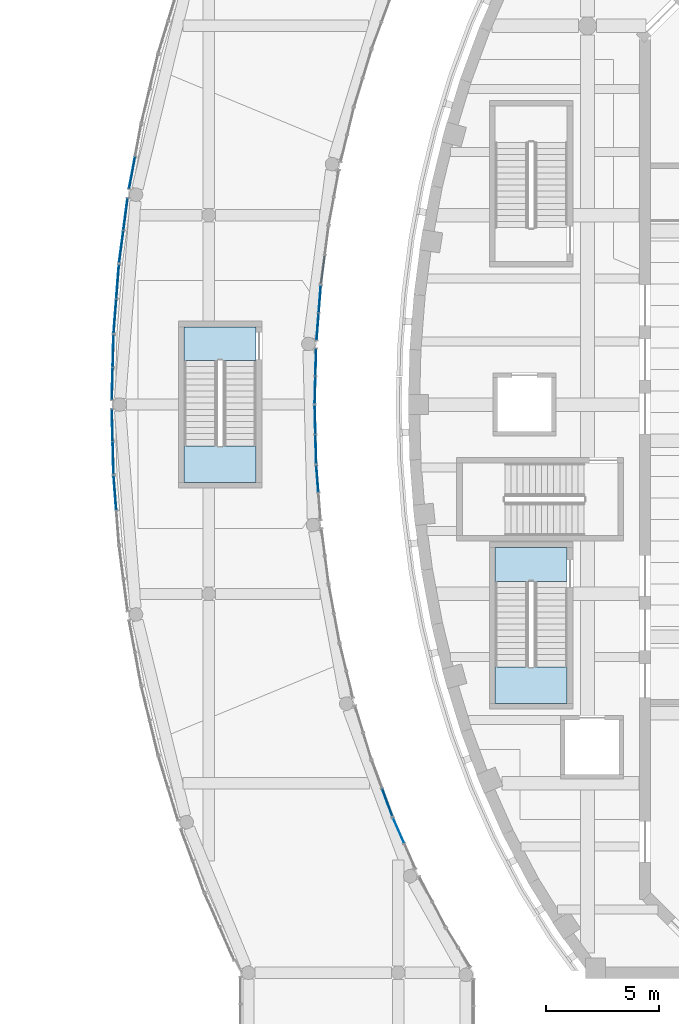
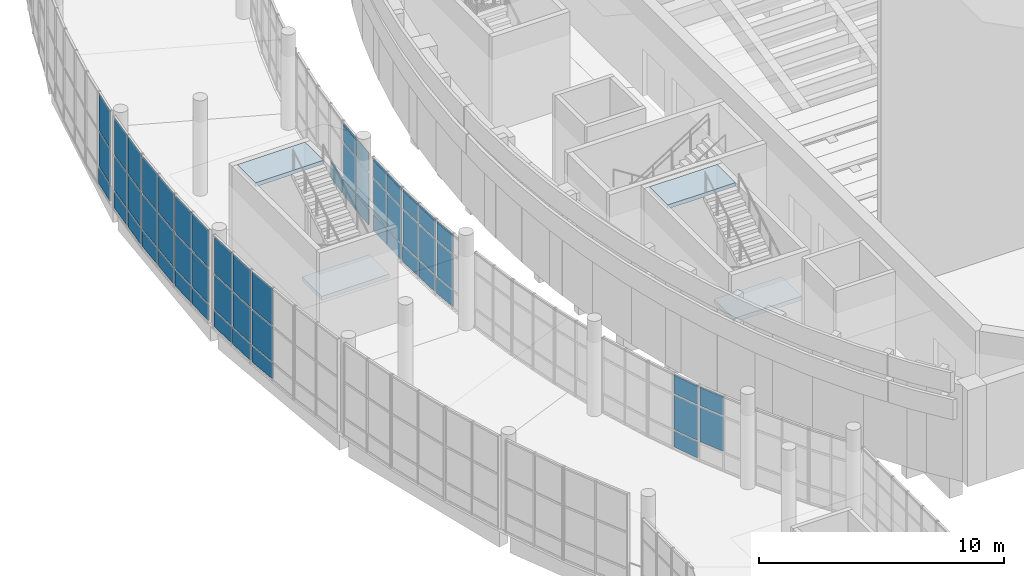
# One storey, part 47 of 119: 57 plates, 4 slabs, 15 elements without a shape of their own.
"""IFC4 building model written with IfcOpenShell, lengths in metres."""

from ifc_helpers import new_model, si_unit, direction, frame, origin, origin_2d, place, context, subcontext, project, spatial, polyline, rectangle, outline, extrude, material, layer, layer_set, type_object, element, aggregate, save


model = new_model("IFC4")

# Units and contexts
model_context = context("Model", 3, precision=1e-05, world=origin(), true_north=direction((0.0, 1.0)))
body_context = subcontext(model_context, "Body", "Model", "MODEL_VIEW")
ifc_project = project(units=[si_unit("LENGTHUNIT", "METRE"), si_unit("AREAUNIT", "SQUARE_METRE"), si_unit("VOLUMEUNIT", "CUBIC_METRE"), si_unit("PLANEANGLEUNIT", "RADIAN"), si_unit("MASSUNIT", "GRAM", prefix="KILO")], contexts=[model_context])

# Site, building, storey
site_placement = place(None, origin())
site = spatial("IfcSite", under=ifc_project, at=site_placement, CompositionType="ELEMENT")
building_placement = place(site_placement, origin())
building = spatial("IfcBuilding", under=site, at=building_placement, Name="Larchfold Concert Hall", CompositionType="ELEMENT")
storey_placement = place(building_placement, frame((0.0, 0.0, 4.800048828125)))
storey = spatial("IfcBuildingStorey", under=building, at=storey_placement, Name="L01", CompositionType="ELEMENT", Elevation=4.800048828125)

# Curtain wall, plates
ifc_material_1 = material(Name="Anodised graphite aluminium curtain wall", Category="aluminium")
ifc_layer_1 = layer(ifc_material_1, 0.14990234375)
ifc_layer_set_1 = layer_set([ifc_layer_1], Name="Anodised graphite aluminium curtain wall")
curtain_wall_type = type_object("IfcCurtainWallType", Name="Curtain wall WG", PredefinedType="NOTDEFINED", material=ifc_layer_set_1)
curtain_wall_1_placement = place(storey_placement, origin())
curtain_wall_1 = element("IfcCurtainWall", 1, at=curtain_wall_1_placement, inside=storey, type_object=curtain_wall_type, Name="Curtain wall CW0139", PredefinedType="NOTDEFINED")
ifc_material_2 = material(Name="Insulated glazing unit, glass", Category="glass")
ifc_layer_2 = layer(ifc_material_2, 0.028076171875)
ifc_layer_set_2 = layer_set([ifc_layer_2], Name="Insulated glazing unit, glass")
plate_type_1 = type_object("IfcPlateType", Name="Glass panel 28", PredefinedType="CURTAIN_PANEL", material=ifc_layer_set_2)
plate_1_placement = place(storey_placement, frame((17.420166015625, 65.706298828125, 0.93994140625), z_axis=(0.0, 0.0, 1.0), x_axis=(-0.40402618995, 0.914747417506, 0.0)))
plate_1 = element("IfcPlate", 2, at=plate_1_placement, type_object=plate_type_1, Name="CW0139 panel 2.2", PredefinedType="CURTAIN_PANEL", context=body_context, shape_type="SweptSolid", body=[
    extrude(rectangle(XDim=1.186767578125, YDim=0.028076171875, at=origin_2d()), origin(), (0.0, 0.0, 1.0), 1.719970703125),
])
plate_2_placement = place(storey_placement, frame((17.420166015625, 65.706298828125, 2.740234375), z_axis=(0.0, 0.0, 1.0), x_axis=(-0.40402618995, 0.914747417506, 0.0)))
plate_2 = element("IfcPlate", 3, at=plate_2_placement, type_object=plate_type_1, Name="CW0139 panel 2.3", PredefinedType="CURTAIN_PANEL", context=body_context, shape_type="SweptSolid", body=[
    extrude(rectangle(XDim=1.186767578125, YDim=0.028076171875, at=origin_2d()), origin(), (0.0, 0.0, 1.0), 0.929931640625),
])
aggregate(curtain_wall_1, [plate_1, plate_2])

curtain_wall_2_placement = place(storey_placement, origin())
curtain_wall_2 = element("IfcCurtainWall", 4, at=curtain_wall_2_placement, inside=storey, type_object=curtain_wall_type, Name="Curtain wall CW0140", PredefinedType="NOTDEFINED")
plate_3_placement = place(storey_placement, frame((16.9169921875, 66.951171875, 0.93994140625), z_axis=(0.0, 0.0, 1.0), x_axis=(-0.346631119, 0.938001528432, 0.0)))
plate_3 = element("IfcPlate", 5, at=plate_3_placement, type_object=plate_type_1, Name="CW0140 panel 1.2", PredefinedType="CURTAIN_PANEL", context=body_context, shape_type="SweptSolid", body=[
    extrude(rectangle(XDim=1.26025390625, YDim=0.028076171875, at=origin_2d()), origin(), (0.0, 0.0, 1.0), 1.719970703125),
])
plate_4_placement = place(storey_placement, frame((16.9169921875, 66.951171875, 2.740234375), z_axis=(0.0, 0.0, 1.0), x_axis=(-0.346631119, 0.938001528432, 0.0)))
plate_4 = element("IfcPlate", 6, at=plate_4_placement, type_object=plate_type_1, Name="CW0140 panel 1.3", PredefinedType="CURTAIN_PANEL", context=body_context, shape_type="SweptSolid", body=[
    extrude(rectangle(XDim=1.26025390625, YDim=0.028076171875, at=origin_2d()), origin(), (0.0, 0.0, 1.0), 0.929931640625),
])

curtain_wall_3_placement = place(storey_placement, origin())
curtain_wall_3 = element("IfcCurtainWall", 7, at=curtain_wall_3_placement, inside=storey, type_object=curtain_wall_type, Name="Curtain wall CW0145", PredefinedType="NOTDEFINED")
plate_5_placement = place(storey_placement, frame((13.81689453125, 81.301513671875, 0.93994140625), z_axis=(0.0, 0.0, 1.0), x_axis=(-0.077547900972, 0.996988627345, 0.0)))
plate_5 = element("IfcPlate", 8, at=plate_5_placement, type_object=plate_type_1, Name="CW0145 panel 2.2", PredefinedType="CURTAIN_PANEL", context=body_context, shape_type="SweptSolid", body=[
    extrude(rectangle(XDim=1.159912109375, YDim=0.028076171875, at=origin_2d()), origin(), (0.0, 0.0, 1.0), 1.719970703125),
])
plate_6_placement = place(storey_placement, frame((13.81689453125, 81.301513671875, 2.740234375), z_axis=(0.0, 0.0, 1.0), x_axis=(-0.077547900972, 0.996988627345, 0.0)))
plate_6 = element("IfcPlate", 9, at=plate_6_placement, type_object=plate_type_1, Name="CW0145 panel 2.3", PredefinedType="CURTAIN_PANEL", context=body_context, shape_type="SweptSolid", body=[
    extrude(rectangle(XDim=1.159912109375, YDim=0.028076171875, at=origin_2d()), origin(), (0.0, 0.0, 1.0), 0.929931640625),
])

curtain_wall_4_placement = place(storey_placement, origin())
curtain_wall_4 = element("IfcCurtainWall", 10, at=curtain_wall_4_placement, inside=storey, type_object=curtain_wall_type, Name="Curtain wall CW0146", PredefinedType="NOTDEFINED")
plate_7_placement = place(storey_placement, frame((13.749755859375, 82.61962890625, 0.93994140625), z_axis=(0.0, 0.0, 1.0), x_axis=(-0.02577598033, 0.999667744222, 0.0)))
plate_7 = element("IfcPlate", 11, at=plate_7_placement, type_object=plate_type_1, Name="CW0146 panel 1.2", PredefinedType="CURTAIN_PANEL", context=body_context, shape_type="SweptSolid", body=[
    extrude(rectangle(XDim=1.24072265625, YDim=0.028076171875, at=origin_2d()), origin(), (0.0, 0.0, 1.0), 1.719970703125),
])
plate_8_placement = place(storey_placement, frame((13.749755859375, 82.61962890625, 2.740234375), z_axis=(0.0, 0.0, 1.0), x_axis=(-0.02577598033, 0.999667744222, 0.0)))
plate_8 = element("IfcPlate", 12, at=plate_8_placement, type_object=plate_type_1, Name="CW0146 panel 1.3", PredefinedType="CURTAIN_PANEL", context=body_context, shape_type="SweptSolid", body=[
    extrude(rectangle(XDim=1.24072265625, YDim=0.028076171875, at=origin_2d()), origin(), (0.0, 0.0, 1.0), 0.929931640625),
])
plate_9_placement = place(storey_placement, frame((13.71630859375, 83.919921875, 0.93994140625), z_axis=(0.0, 0.0, 1.0), x_axis=(-0.02577598033, 0.999667744222, 0.0)))
plate_9 = element("IfcPlate", 13, at=plate_9_placement, type_object=plate_type_1, Name="CW0146 panel 2.2", PredefinedType="CURTAIN_PANEL", context=body_context, shape_type="SweptSolid", body=[
    extrude(rectangle(XDim=1.24072265625, YDim=0.028076171875, at=origin_2d()), origin(), (0.0, 0.0, 1.0), 1.719970703125),
])
plate_10_placement = place(storey_placement, frame((13.71630859375, 83.919921875, 2.740234375), z_axis=(0.0, 0.0, 1.0), x_axis=(-0.02577598033, 0.999667744222, 0.0)))
plate_10 = element("IfcPlate", 14, at=plate_10_placement, type_object=plate_type_1, Name="CW0146 panel 2.3", PredefinedType="CURTAIN_PANEL", context=body_context, shape_type="SweptSolid", body=[
    extrude(rectangle(XDim=1.24072265625, YDim=0.028076171875, at=origin_2d()), origin(), (0.0, 0.0, 1.0), 0.929931640625),
])

curtain_wall_5_placement = place(storey_placement, origin())
curtain_wall_5 = element("IfcCurtainWall", 15, at=curtain_wall_5_placement, inside=storey, type_object=curtain_wall_type, Name="Curtain wall CW0147", PredefinedType="NOTDEFINED")
plate_11_placement = place(storey_placement, frame((13.71533203125, 85.2451171875, 0.93994140625), z_axis=(0.0, 0.0, 1.0), x_axis=(0.025761646688, 0.999668113706, 0.0)))
plate_11 = element("IfcPlate", 16, at=plate_11_placement, type_object=plate_type_1, Name="CW0147 panel 1.2", PredefinedType="CURTAIN_PANEL", context=body_context, shape_type="SweptSolid", body=[
    extrude(rectangle(XDim=1.17041015625, YDim=0.028076171875, at=origin_2d()), origin(), (0.0, 0.0, 1.0), 1.719970703125),
])
plate_12_placement = place(storey_placement, frame((13.71533203125, 85.2451171875, 2.740234375), z_axis=(0.0, 0.0, 1.0), x_axis=(0.025761646688, 0.999668113706, 0.0)))
plate_12 = element("IfcPlate", 17, at=plate_12_placement, type_object=plate_type_1, Name="CW0147 panel 1.3", PredefinedType="CURTAIN_PANEL", context=body_context, shape_type="SweptSolid", body=[
    extrude(rectangle(XDim=1.17041015625, YDim=0.028076171875, at=origin_2d()), origin(), (0.0, 0.0, 1.0), 0.929931640625),
])
plate_13_placement = place(storey_placement, frame((13.7470703125, 86.47509765625, 0.93994140625), z_axis=(0.0, 0.0, 1.0), x_axis=(0.025761646688, 0.999668113706, 0.0)))
plate_13 = element("IfcPlate", 18, at=plate_13_placement, type_object=plate_type_1, Name="CW0147 panel 2.2", PredefinedType="CURTAIN_PANEL", context=body_context, shape_type="SweptSolid", body=[
    extrude(rectangle(XDim=1.17041015625, YDim=0.028076171875, at=origin_2d()), origin(), (0.0, 0.0, 1.0), 1.719970703125),
])
plate_14_placement = place(storey_placement, frame((13.7470703125, 86.47509765625, 2.740234375), z_axis=(0.0, 0.0, 1.0), x_axis=(0.025761646688, 0.999668113706, 0.0)))
plate_14 = element("IfcPlate", 19, at=plate_14_placement, type_object=plate_type_1, Name="CW0147 panel 2.3", PredefinedType="CURTAIN_PANEL", context=body_context, shape_type="SweptSolid", body=[
    extrude(rectangle(XDim=1.17041015625, YDim=0.028076171875, at=origin_2d()), origin(), (0.0, 0.0, 1.0), 0.929931640625),
])

curtain_wall_6_placement = place(storey_placement, origin())
curtain_wall_6 = element("IfcCurtainWall", 20, at=curtain_wall_6_placement, inside=storey, type_object=curtain_wall_type, Name="Curtain wall CW0148", PredefinedType="NOTDEFINED")
plate_15_placement = place(storey_placement, frame((13.829345703125, 88.057373046875, 0.93994140625), z_axis=(0.0, 0.0, 1.0), x_axis=(0.077553270089, 0.996988209709, 0.0)))
plate_15 = element("IfcPlate", 21, at=plate_15_placement, type_object=plate_type_1, Name="CW0148 panel 1.2", PredefinedType="CURTAIN_PANEL", context=body_context, shape_type="SweptSolid", body=[
    extrude(rectangle(XDim=1.162841796875, YDim=0.028076171875, at=origin_2d()), origin(), (0.0, 0.0, 1.0), 1.719970703125),
])
plate_16_placement = place(storey_placement, frame((13.829345703125, 88.057373046875, 2.740234375), z_axis=(0.0, 0.0, 1.0), x_axis=(0.077553270089, 0.996988209709, 0.0)))
plate_16 = element("IfcPlate", 22, at=plate_16_placement, type_object=plate_type_1, Name="CW0148 panel 1.3", PredefinedType="CURTAIN_PANEL", context=body_context, shape_type="SweptSolid", body=[
    extrude(rectangle(XDim=1.162841796875, YDim=0.028076171875, at=origin_2d()), origin(), (0.0, 0.0, 1.0), 0.929931640625),
])
plate_17_placement = place(storey_placement, frame((13.924072265625, 89.2763671875, 0.93994140625), z_axis=(0.0, 0.0, 1.0), x_axis=(0.077553270089, 0.996988209709, 0.0)))
plate_17 = element("IfcPlate", 23, at=plate_17_placement, type_object=plate_type_1, Name="CW0148 panel 2.2", PredefinedType="CURTAIN_PANEL", context=body_context, shape_type="SweptSolid", body=[
    extrude(rectangle(XDim=1.162841796875, YDim=0.028076171875, at=origin_2d()), origin(), (0.0, 0.0, 1.0), 1.719970703125),
])
plate_18_placement = place(storey_placement, frame((13.924072265625, 89.2763671875, 2.740234375), z_axis=(0.0, 0.0, 1.0), x_axis=(0.077553270089, 0.996988209709, 0.0)))
plate_18 = element("IfcPlate", 24, at=plate_18_placement, type_object=plate_type_1, Name="CW0148 panel 2.3", PredefinedType="CURTAIN_PANEL", context=body_context, shape_type="SweptSolid", body=[
    extrude(rectangle(XDim=1.162841796875, YDim=0.028076171875, at=origin_2d()), origin(), (0.0, 0.0, 1.0), 0.929931640625),
])

curtain_wall_7_placement = place(storey_placement, origin())
curtain_wall_7 = element("IfcCurtainWall", 25, at=curtain_wall_7_placement, inside=storey, type_object=curtain_wall_type, Name="Curtain wall CW0192", PredefinedType="NOTDEFINED")
plate_19_placement = place(storey_placement, frame((5.596435546875, 94.8798828125, 0.93994140625), z_axis=(0.0, 0.0, 1.0), x_axis=(-0.182346464695, -0.983234339724, 0.0)))
plate_19 = element("IfcPlate", 26, at=plate_19_placement, type_object=plate_type_1, Name="CW0192 panel 2.2", PredefinedType="CURTAIN_PANEL", context=body_context, shape_type="SweptSolid", body=[
    extrude(rectangle(XDim=1.405517578125, YDim=0.028076171875, at=origin_2d()), origin(), (0.0, 0.0, 1.0), 1.719970703125),
])
plate_20_placement = place(storey_placement, frame((5.596435546875, 94.8798828125, 2.740234375), z_axis=(0.0, 0.0, 1.0), x_axis=(-0.182346464695, -0.983234339724, 0.0)))
plate_20 = element("IfcPlate", 27, at=plate_20_placement, type_object=plate_type_1, Name="CW0192 panel 2.3", PredefinedType="CURTAIN_PANEL", context=body_context, shape_type="SweptSolid", body=[
    extrude(rectangle(XDim=1.405517578125, YDim=0.028076171875, at=origin_2d()), origin(), (0.0, 0.0, 1.0), 1.829833984375),
])

curtain_wall_8_placement = place(storey_placement, origin())
curtain_wall_8 = element("IfcCurtainWall", 28, at=curtain_wall_8_placement, inside=storey, type_object=curtain_wall_type, Name="Curtain wall CW0193", PredefinedType="NOTDEFINED")
plate_21_placement = place(storey_placement, frame((5.306396484375, 93.045166015625, 0.93994140625), z_axis=(0.0, 0.0, 1.0), x_axis=(-0.129742883511, -0.991547671158, 0.0)))
plate_21 = element("IfcPlate", 29, at=plate_21_placement, type_object=plate_type_1, Name="CW0193 panel 1.2", PredefinedType="CURTAIN_PANEL", context=body_context, shape_type="SweptSolid", body=[
    extrude(rectangle(XDim=1.396484375, YDim=0.028076171875, at=origin_2d()), origin(), (0.0, 0.0, 1.0), 1.719970703125),
])
plate_22_placement = place(storey_placement, frame((5.306396484375, 93.045166015625, 2.740234375), z_axis=(0.0, 0.0, 1.0), x_axis=(-0.129742883511, -0.991547671158, 0.0)))
plate_22 = element("IfcPlate", 30, at=plate_22_placement, type_object=plate_type_1, Name="CW0193 panel 1.3", PredefinedType="CURTAIN_PANEL", context=body_context, shape_type="SweptSolid", body=[
    extrude(rectangle(XDim=1.396484375, YDim=0.028076171875, at=origin_2d()), origin(), (0.0, 0.0, 1.0), 1.829833984375),
])
plate_23_placement = place(storey_placement, frame((5.117431640625, 91.60107421875, 0.93994140625), z_axis=(0.0, 0.0, 1.0), x_axis=(-0.129742883511, -0.991547671158, 0.0)))
plate_23 = element("IfcPlate", 31, at=plate_23_placement, type_object=plate_type_1, Name="CW0193 panel 2.2", PredefinedType="CURTAIN_PANEL", context=body_context, shape_type="SweptSolid", body=[
    extrude(rectangle(XDim=1.396484375, YDim=0.028076171875, at=origin_2d()), origin(), (0.0, 0.0, 1.0), 1.719970703125),
])
plate_24_placement = place(storey_placement, frame((5.117431640625, 91.60107421875, 2.740234375), z_axis=(0.0, 0.0, 1.0), x_axis=(-0.129742883511, -0.991547671158, 0.0)))
plate_24 = element("IfcPlate", 32, at=plate_24_placement, type_object=plate_type_1, Name="CW0193 panel 2.3", PredefinedType="CURTAIN_PANEL", context=body_context, shape_type="SweptSolid", body=[
    extrude(rectangle(XDim=1.396484375, YDim=0.028076171875, at=origin_2d()), origin(), (0.0, 0.0, 1.0), 1.829833984375),
])

curtain_wall_9_placement = place(storey_placement, origin())
curtain_wall_9 = element("IfcCurtainWall", 33, at=curtain_wall_9_placement, inside=storey, type_object=curtain_wall_type, Name="Curtain wall CW0194", PredefinedType="NOTDEFINED")
plate_25_placement = place(storey_placement, frame((4.957275390625, 90.05322265625, 0.93994140625), z_axis=(0.0, 0.0, 1.0), x_axis=(-0.077465260721, -0.996995051834, 0.0)))
plate_25 = element("IfcPlate", 34, at=plate_25_placement, type_object=plate_type_1, Name="CW0194 panel 1.2", PredefinedType="CURTAIN_PANEL", context=body_context, shape_type="SweptSolid", body=[
    extrude(rectangle(XDim=1.476318359375, YDim=0.028076171875, at=origin_2d()), origin(), (0.0, 0.0, 1.0), 1.719970703125),
])
plate_26_placement = place(storey_placement, frame((4.957275390625, 90.05322265625, 2.740234375), z_axis=(0.0, 0.0, 1.0), x_axis=(-0.077465260721, -0.996995051834, 0.0)))
plate_26 = element("IfcPlate", 35, at=plate_26_placement, type_object=plate_type_1, Name="CW0194 panel 1.3", PredefinedType="CURTAIN_PANEL", context=body_context, shape_type="SweptSolid", body=[
    extrude(rectangle(XDim=1.476318359375, YDim=0.028076171875, at=origin_2d()), origin(), (0.0, 0.0, 1.0), 1.829833984375),
])
plate_27_placement = place(storey_placement, frame((4.838134765625, 88.521728515625, 0.93994140625), z_axis=(0.0, 0.0, 1.0), x_axis=(-0.077465260721, -0.996995051834, 0.0)))
plate_27 = element("IfcPlate", 36, at=plate_27_placement, type_object=plate_type_1, Name="CW0194 panel 2.2", PredefinedType="CURTAIN_PANEL", context=body_context, shape_type="SweptSolid", body=[
    extrude(rectangle(XDim=1.476318359375, YDim=0.028076171875, at=origin_2d()), origin(), (0.0, 0.0, 1.0), 1.719970703125),
])
plate_28_placement = place(storey_placement, frame((4.838134765625, 88.521728515625, 2.740234375), z_axis=(0.0, 0.0, 1.0), x_axis=(-0.077465260721, -0.996995051834, 0.0)))
plate_28 = element("IfcPlate", 37, at=plate_28_placement, type_object=plate_type_1, Name="CW0194 panel 2.3", PredefinedType="CURTAIN_PANEL", context=body_context, shape_type="SweptSolid", body=[
    extrude(rectangle(XDim=1.476318359375, YDim=0.028076171875, at=origin_2d()), origin(), (0.0, 0.0, 1.0), 1.829833984375),
])

curtain_wall_10_placement = place(storey_placement, origin())
curtain_wall_10 = element("IfcCurtainWall", 38, at=curtain_wall_10_placement, inside=storey, type_object=curtain_wall_type, Name="Curtain wall CW0195", PredefinedType="NOTDEFINED")
plate_29_placement = place(storey_placement, frame((4.7568359375, 86.97119140625, 0.93994140625), z_axis=(0.0, 0.0, 1.0), x_axis=(-0.025820733125, -0.999666589289, 0.0)))
plate_29 = element("IfcPlate", 39, at=plate_29_placement, type_object=plate_type_1, Name="CW0195 panel 1.2", PredefinedType="CURTAIN_PANEL", context=body_context, shape_type="SweptSolid", body=[
    extrude(rectangle(XDim=1.3896484375, YDim=0.028076171875, at=origin_2d()), origin(), (0.0, 0.0, 1.0), 1.719970703125),
])
plate_30_placement = place(storey_placement, frame((4.7568359375, 86.97119140625, 2.740234375), z_axis=(0.0, 0.0, 1.0), x_axis=(-0.025820733125, -0.999666589289, 0.0)))
plate_30 = element("IfcPlate", 40, at=plate_30_placement, type_object=plate_type_1, Name="CW0195 panel 1.3", PredefinedType="CURTAIN_PANEL", context=body_context, shape_type="SweptSolid", body=[
    extrude(rectangle(XDim=1.3896484375, YDim=0.028076171875, at=origin_2d()), origin(), (0.0, 0.0, 1.0), 1.829833984375),
])
plate_31_placement = place(storey_placement, frame((4.719482421875, 85.52197265625, 0.93994140625), z_axis=(0.0, 0.0, 1.0), x_axis=(-0.025820733125, -0.999666589289, 0.0)))
plate_31 = element("IfcPlate", 41, at=plate_31_placement, type_object=plate_type_1, Name="CW0195 panel 2.2", PredefinedType="CURTAIN_PANEL", context=body_context, shape_type="SweptSolid", body=[
    extrude(rectangle(XDim=1.3896484375, YDim=0.028076171875, at=origin_2d()), origin(), (0.0, 0.0, 1.0), 1.719970703125),
])
plate_32_placement = place(storey_placement, frame((4.719482421875, 85.52197265625, 2.740234375), z_axis=(0.0, 0.0, 1.0), x_axis=(-0.025820733125, -0.999666589289, 0.0)))
plate_32 = element("IfcPlate", 42, at=plate_32_placement, type_object=plate_type_1, Name="CW0195 panel 2.3", PredefinedType="CURTAIN_PANEL", context=body_context, shape_type="SweptSolid", body=[
    extrude(rectangle(XDim=1.3896484375, YDim=0.028076171875, at=origin_2d()), origin(), (0.0, 0.0, 1.0), 1.829833984375),
])

curtain_wall_11_placement = place(storey_placement, origin())
curtain_wall_11 = element("IfcCurtainWall", 43, at=curtain_wall_11_placement, inside=storey, type_object=curtain_wall_type, Name="Curtain wall CW0196", PredefinedType="NOTDEFINED")
plate_33_placement = place(storey_placement, frame((4.719482421875, 83.67822265625, 0.93994140625), z_axis=(0.0, 0.0, 1.0), x_axis=(0.025820733125, -0.999666589289, 0.0)))
plate_33 = element("IfcPlate", 44, at=plate_33_placement, type_object=plate_type_1, Name="CW0196 panel 1.2", PredefinedType="CURTAIN_PANEL", context=body_context, shape_type="SweptSolid", body=[
    extrude(rectangle(XDim=1.3896484375, YDim=0.028076171875, at=origin_2d()), origin(), (0.0, 0.0, 1.0), 1.719970703125),
])
plate_34_placement = place(storey_placement, frame((4.719482421875, 83.67822265625, 2.740234375), z_axis=(0.0, 0.0, 1.0), x_axis=(0.025820733125, -0.999666589289, 0.0)))
plate_34 = element("IfcPlate", 45, at=plate_34_placement, type_object=plate_type_1, Name="CW0196 panel 1.3", PredefinedType="CURTAIN_PANEL", context=body_context, shape_type="SweptSolid", body=[
    extrude(rectangle(XDim=1.3896484375, YDim=0.028076171875, at=origin_2d()), origin(), (0.0, 0.0, 1.0), 1.829833984375),
])
plate_35_placement = place(storey_placement, frame((4.7568359375, 82.22900390625, 0.93994140625), z_axis=(0.0, 0.0, 1.0), x_axis=(0.025820733125, -0.999666589289, 0.0)))
plate_35 = element("IfcPlate", 46, at=plate_35_placement, type_object=plate_type_1, Name="CW0196 panel 2.2", PredefinedType="CURTAIN_PANEL", context=body_context, shape_type="SweptSolid", body=[
    extrude(rectangle(XDim=1.3896484375, YDim=0.028076171875, at=origin_2d()), origin(), (0.0, 0.0, 1.0), 1.719970703125),
])
plate_36_placement = place(storey_placement, frame((4.7568359375, 82.22900390625, 2.740234375), z_axis=(0.0, 0.0, 1.0), x_axis=(0.025820733125, -0.999666589289, 0.0)))
plate_36 = element("IfcPlate", 47, at=plate_36_placement, type_object=plate_type_1, Name="CW0196 panel 2.3", PredefinedType="CURTAIN_PANEL", context=body_context, shape_type="SweptSolid", body=[
    extrude(rectangle(XDim=1.3896484375, YDim=0.028076171875, at=origin_2d()), origin(), (0.0, 0.0, 1.0), 1.829833984375),
])

curtain_wall_12_placement = place(storey_placement, origin())
curtain_wall_12 = element("IfcCurtainWall", 48, at=curtain_wall_12_placement, inside=storey, type_object=curtain_wall_type, Name="Curtain wall CW0197", PredefinedType="NOTDEFINED")
plate_37_placement = place(storey_placement, frame((4.838134765625, 80.678466796875, 0.93994140625), z_axis=(0.0, 0.0, 1.0), x_axis=(0.077465260739, -0.996995051833, 0.0)))
plate_37 = element("IfcPlate", 49, at=plate_37_placement, type_object=plate_type_1, Name="CW0197 panel 1.2", PredefinedType="CURTAIN_PANEL", context=body_context, shape_type="SweptSolid", body=[
    extrude(rectangle(XDim=1.476318359375, YDim=0.028076171875, at=origin_2d()), origin(), (0.0, 0.0, 1.0), 1.719970703125),
])
plate_38_placement = place(storey_placement, frame((4.838134765625, 80.678466796875, 2.740234375), z_axis=(0.0, 0.0, 1.0), x_axis=(0.077465260739, -0.996995051833, 0.0)))
plate_38 = element("IfcPlate", 50, at=plate_38_placement, type_object=plate_type_1, Name="CW0197 panel 1.3", PredefinedType="CURTAIN_PANEL", context=body_context, shape_type="SweptSolid", body=[
    extrude(rectangle(XDim=1.476318359375, YDim=0.028076171875, at=origin_2d()), origin(), (0.0, 0.0, 1.0), 1.829833984375),
])

# Plate
ifc_material_3 = material(Name="White insulated panel")
ifc_layer_3 = layer(ifc_material_3, 0.06005859375)
ifc_layer_set_3 = layer_set([ifc_layer_3], Name="White insulated panel")
plate_type_2 = type_object("IfcPlateType", Name="Insulated spandrel panel 60", PredefinedType="CURTAIN_PANEL", material=ifc_layer_set_3)
plate_39_placement = place(storey_placement, frame((16.9169921875, 66.951171875, 0.080078125), z_axis=(0.0, 0.0, 1.0), x_axis=(-0.346631119, 0.938001528432, 0.0)))
plate_39 = element("IfcPlate", 51, at=plate_39_placement, type_object=plate_type_2, Name="CW0140 panel 1.1", PredefinedType="CURTAIN_PANEL", context=body_context, shape_type="SweptSolid", body=[
    extrude(rectangle(XDim=1.26025390625, YDim=0.06005859375, at=origin_2d()), origin(), (0.0, 0.0, 1.0), 0.77978515625),
])

aggregate(curtain_wall_2, [plate_39, plate_3, plate_4])

plate_40_placement = place(storey_placement, frame((13.81689453125, 81.301513671875, 0.080078125), z_axis=(0.0, 0.0, 1.0), x_axis=(-0.077547900972, 0.996988627345, 0.0)))
plate_40 = element("IfcPlate", 52, at=plate_40_placement, type_object=plate_type_2, Name="CW0145 panel 2.1", PredefinedType="CURTAIN_PANEL", context=body_context, shape_type="SweptSolid", body=[
    extrude(rectangle(XDim=1.159912109375, YDim=0.06005859375, at=origin_2d()), origin(), (0.0, 0.0, 1.0), 0.77978515625),
])

aggregate(curtain_wall_3, [plate_40, plate_5, plate_6])

plate_41_placement = place(storey_placement, frame((13.749755859375, 82.61962890625, 0.080078125), z_axis=(0.0, 0.0, 1.0), x_axis=(-0.02577598033, 0.999667744222, 0.0)))
plate_41 = element("IfcPlate", 53, at=plate_41_placement, type_object=plate_type_2, Name="CW0146 panel 1.1", PredefinedType="CURTAIN_PANEL", context=body_context, shape_type="SweptSolid", body=[
    extrude(rectangle(XDim=1.24072265625, YDim=0.06005859375, at=origin_2d()), origin(), (0.0, 0.0, 1.0), 0.77978515625),
])

plate_42_placement = place(storey_placement, frame((13.71630859375, 83.919921875, 0.080078125), z_axis=(0.0, 0.0, 1.0), x_axis=(-0.02577598033, 0.999667744222, 0.0)))
plate_42 = element("IfcPlate", 54, at=plate_42_placement, type_object=plate_type_2, Name="CW0146 panel 2.1", PredefinedType="CURTAIN_PANEL", context=body_context, shape_type="SweptSolid", body=[
    extrude(rectangle(XDim=1.24072265625, YDim=0.06005859375, at=origin_2d()), origin(), (0.0, 0.0, 1.0), 0.77978515625),
])

aggregate(curtain_wall_4, [plate_41, plate_7, plate_8, plate_42, plate_9, plate_10])

plate_43_placement = place(storey_placement, frame((13.71533203125, 85.2451171875, 0.080078125), z_axis=(0.0, 0.0, 1.0), x_axis=(0.025761646688, 0.999668113706, 0.0)))
plate_43 = element("IfcPlate", 55, at=plate_43_placement, type_object=plate_type_2, Name="CW0147 panel 1.1", PredefinedType="CURTAIN_PANEL", context=body_context, shape_type="SweptSolid", body=[
    extrude(rectangle(XDim=1.17041015625, YDim=0.06005859375, at=origin_2d()), origin(), (0.0, 0.0, 1.0), 0.77978515625),
])

plate_44_placement = place(storey_placement, frame((13.7470703125, 86.47509765625, 0.080078125), z_axis=(0.0, 0.0, 1.0), x_axis=(0.025761646688, 0.999668113706, 0.0)))
plate_44 = element("IfcPlate", 56, at=plate_44_placement, type_object=plate_type_2, Name="CW0147 panel 2.1", PredefinedType="CURTAIN_PANEL", context=body_context, shape_type="SweptSolid", body=[
    extrude(rectangle(XDim=1.17041015625, YDim=0.06005859375, at=origin_2d()), origin(), (0.0, 0.0, 1.0), 0.77978515625),
])

aggregate(curtain_wall_5, [plate_43, plate_11, plate_12, plate_44, plate_13, plate_14])

plate_45_placement = place(storey_placement, frame((13.829345703125, 88.057373046875, 0.080078125), z_axis=(0.0, 0.0, 1.0), x_axis=(0.077553270089, 0.996988209709, 0.0)))
plate_45 = element("IfcPlate", 57, at=plate_45_placement, type_object=plate_type_2, Name="CW0148 panel 1.1", PredefinedType="CURTAIN_PANEL", context=body_context, shape_type="SweptSolid", body=[
    extrude(rectangle(XDim=1.162841796875, YDim=0.06005859375, at=origin_2d()), origin(), (0.0, 0.0, 1.0), 0.77978515625),
])

plate_46_placement = place(storey_placement, frame((13.924072265625, 89.2763671875, 0.080078125), z_axis=(0.0, 0.0, 1.0), x_axis=(0.077553270089, 0.996988209709, 0.0)))
plate_46 = element("IfcPlate", 58, at=plate_46_placement, type_object=plate_type_2, Name="CW0148 panel 2.1", PredefinedType="CURTAIN_PANEL", context=body_context, shape_type="SweptSolid", body=[
    extrude(rectangle(XDim=1.162841796875, YDim=0.06005859375, at=origin_2d()), origin(), (0.0, 0.0, 1.0), 0.77978515625),
])

aggregate(curtain_wall_6, [plate_45, plate_15, plate_16, plate_46, plate_17, plate_18])

# Curtain wall, plate
curtain_wall_13_placement = place(storey_placement, origin())
curtain_wall_13 = element("IfcCurtainWall", 59, at=curtain_wall_13_placement, inside=storey, type_object=curtain_wall_type, Name="Curtain wall CW0149", PredefinedType="NOTDEFINED")
plate_47_placement = place(storey_placement, frame((14.062255859375, 90.591796875, 0.080078125), z_axis=(0.0, 0.0, 1.0), x_axis=(0.129644480836, 0.991560542069, 0.0)))
plate_47 = element("IfcPlate", 60, at=plate_47_placement, type_object=plate_type_2, Name="CW0149 panel 1.1", PredefinedType="CURTAIN_PANEL", context=body_context, shape_type="SweptSolid", body=[
    extrude(rectangle(XDim=1.2431640625, YDim=0.06005859375, at=origin_2d()), origin(), (0.0, 0.0, 1.0), 0.77978515625),
])
aggregate(curtain_wall_13, [plate_47])

# Plate
plate_48_placement = place(storey_placement, frame((5.596435546875, 94.8798828125, 0.080078125), z_axis=(0.0, 0.0, 1.0), x_axis=(-0.182346464695, -0.983234339724, 0.0)))
plate_48 = element("IfcPlate", 61, at=plate_48_placement, type_object=plate_type_2, Name="CW0192 panel 2.1", PredefinedType="CURTAIN_PANEL", context=body_context, shape_type="SweptSolid", body=[
    extrude(rectangle(XDim=1.405517578125, YDim=0.06005859375, at=origin_2d()), origin(), (0.0, 0.0, 1.0), 0.77978515625),
])

aggregate(curtain_wall_7, [plate_48, plate_19, plate_20])

plate_49_placement = place(storey_placement, frame((5.306396484375, 93.045166015625, 0.080078125), z_axis=(0.0, 0.0, 1.0), x_axis=(-0.129742883511, -0.991547671158, 0.0)))
plate_49 = element("IfcPlate", 62, at=plate_49_placement, type_object=plate_type_2, Name="CW0193 panel 1.1", PredefinedType="CURTAIN_PANEL", context=body_context, shape_type="SweptSolid", body=[
    extrude(rectangle(XDim=1.396484375, YDim=0.06005859375, at=origin_2d()), origin(), (0.0, 0.0, 1.0), 0.77978515625),
])

plate_50_placement = place(storey_placement, frame((5.117431640625, 91.60107421875, 0.080078125), z_axis=(0.0, 0.0, 1.0), x_axis=(-0.129742883511, -0.991547671158, 0.0)))
plate_50 = element("IfcPlate", 63, at=plate_50_placement, type_object=plate_type_2, Name="CW0193 panel 2.1", PredefinedType="CURTAIN_PANEL", context=body_context, shape_type="SweptSolid", body=[
    extrude(rectangle(XDim=1.396484375, YDim=0.06005859375, at=origin_2d()), origin(), (0.0, 0.0, 1.0), 0.77978515625),
])

aggregate(curtain_wall_8, [plate_49, plate_21, plate_22, plate_50, plate_23, plate_24])

plate_51_placement = place(storey_placement, frame((4.957275390625, 90.05322265625, 0.080078125), z_axis=(0.0, 0.0, 1.0), x_axis=(-0.077465260721, -0.996995051834, 0.0)))
plate_51 = element("IfcPlate", 64, at=plate_51_placement, type_object=plate_type_2, Name="CW0194 panel 1.1", PredefinedType="CURTAIN_PANEL", context=body_context, shape_type="SweptSolid", body=[
    extrude(rectangle(XDim=1.476318359375, YDim=0.06005859375, at=origin_2d()), origin(), (0.0, 0.0, 1.0), 0.77978515625),
])

plate_52_placement = place(storey_placement, frame((4.838134765625, 88.521728515625, 0.080078125), z_axis=(0.0, 0.0, 1.0), x_axis=(-0.077465260721, -0.996995051834, 0.0)))
plate_52 = element("IfcPlate", 65, at=plate_52_placement, type_object=plate_type_2, Name="CW0194 panel 2.1", PredefinedType="CURTAIN_PANEL", context=body_context, shape_type="SweptSolid", body=[
    extrude(rectangle(XDim=1.476318359375, YDim=0.06005859375, at=origin_2d()), origin(), (0.0, 0.0, 1.0), 0.77978515625),
])

aggregate(curtain_wall_9, [plate_51, plate_25, plate_26, plate_52, plate_27, plate_28])

plate_53_placement = place(storey_placement, frame((4.7568359375, 86.97119140625, 0.080078125), z_axis=(0.0, 0.0, 1.0), x_axis=(-0.025820733125, -0.999666589289, 0.0)))
plate_53 = element("IfcPlate", 66, at=plate_53_placement, type_object=plate_type_2, Name="CW0195 panel 1.1", PredefinedType="CURTAIN_PANEL", context=body_context, shape_type="SweptSolid", body=[
    extrude(rectangle(XDim=1.3896484375, YDim=0.06005859375, at=origin_2d()), origin(), (0.0, 0.0, 1.0), 0.77978515625),
])

plate_54_placement = place(storey_placement, frame((4.719482421875, 85.52197265625, 0.080078125), z_axis=(0.0, 0.0, 1.0), x_axis=(-0.025820733125, -0.999666589289, 0.0)))
plate_54 = element("IfcPlate", 67, at=plate_54_placement, type_object=plate_type_2, Name="CW0195 panel 2.1", PredefinedType="CURTAIN_PANEL", context=body_context, shape_type="SweptSolid", body=[
    extrude(rectangle(XDim=1.3896484375, YDim=0.06005859375, at=origin_2d()), origin(), (0.0, 0.0, 1.0), 0.77978515625),
])

aggregate(curtain_wall_10, [plate_53, plate_29, plate_30, plate_54, plate_31, plate_32])

plate_55_placement = place(storey_placement, frame((4.719482421875, 83.67822265625, 0.080078125), z_axis=(0.0, 0.0, 1.0), x_axis=(0.025820733125, -0.999666589289, 0.0)))
plate_55 = element("IfcPlate", 68, at=plate_55_placement, type_object=plate_type_2, Name="CW0196 panel 1.1", PredefinedType="CURTAIN_PANEL", context=body_context, shape_type="SweptSolid", body=[
    extrude(rectangle(XDim=1.3896484375, YDim=0.06005859375, at=origin_2d()), origin(), (0.0, 0.0, 1.0), 0.77978515625),
])

plate_56_placement = place(storey_placement, frame((4.7568359375, 82.22900390625, 0.080078125), z_axis=(0.0, 0.0, 1.0), x_axis=(0.025820733125, -0.999666589289, 0.0)))
plate_56 = element("IfcPlate", 69, at=plate_56_placement, type_object=plate_type_2, Name="CW0196 panel 2.1", PredefinedType="CURTAIN_PANEL", context=body_context, shape_type="SweptSolid", body=[
    extrude(rectangle(XDim=1.3896484375, YDim=0.06005859375, at=origin_2d()), origin(), (0.0, 0.0, 1.0), 0.77978515625),
])

aggregate(curtain_wall_11, [plate_55, plate_33, plate_34, plate_56, plate_35, plate_36])

plate_57_placement = place(storey_placement, frame((4.838134765625, 80.678466796875, 0.080078125), z_axis=(0.0, 0.0, 1.0), x_axis=(0.077465260739, -0.996995051833, 0.0)))
plate_57 = element("IfcPlate", 70, at=plate_57_placement, type_object=plate_type_2, Name="CW0197 panel 1.1", PredefinedType="CURTAIN_PANEL", context=body_context, shape_type="SweptSolid", body=[
    extrude(rectangle(XDim=1.476318359375, YDim=0.06005859375, at=origin_2d()), origin(), (0.0, 0.0, 1.0), 0.77978515625),
])

aggregate(curtain_wall_12, [plate_57, plate_37, plate_38])

# Stair, slabs
ifc_material_4 = material(Name="Concrete C35/45", Category="concrete")
stair_type = type_object("IfcStairType", Name="Stair RC half-turn enclosed", PredefinedType="HALF_TURN_STAIR", material=ifc_material_4)
stair_1_placement = place(storey_placement, origin())
stair_1 = element("IfcStair", 71, at=stair_1_placement, inside=storey, type_object=stair_type, Name="Stair DS5", PredefinedType="HALF_TURN_STAIR")
ifc_material_5 = material(Name="Concrete C35/45", Category="concrete")
ifc_layer_4 = layer(ifc_material_5, 0.199951171875)
ifc_layer_set_4 = layer_set([ifc_layer_4], Name="Concrete C35/45")
slab_type = type_object("IfcSlabType", Name="Stair landing RC 200", PredefinedType="LANDING", material=ifc_layer_set_4)
slab_1_placement = place(storey_placement, frame((0.0, 0.0, 2.199951171875)))
slab_1 = element("IfcSlab", 72, at=slab_1_placement, type_object=slab_type, Name="ST05 landing 1", PredefinedType="LANDING", context=body_context, shape_type="SweptSolid", body=[
    extrude(outline(polyline([(21.699951171875, 72.969970703125), (21.699951171875, 71.35009765625), (24.89990234375, 71.35009765625), (24.89990234375, 72.969970703125), (21.699951171875, 72.969970703125)])), origin(), (0.0, 0.0, 1.0), 0.199951171875),
])
slab_2_placement = place(storey_placement, frame((0.0, 0.0, 4.599853515625)))
slab_2 = element("IfcSlab", 73, at=slab_2_placement, type_object=slab_type, Name="ST05 landing 2", PredefinedType="LANDING", context=body_context, shape_type="SweptSolid", body=[
    extrude(outline(polyline([(21.699951171875, 78.25), (21.699951171875, 76.75), (24.89990234375, 76.75), (24.89990234375, 78.25), (21.699951171875, 78.25)])), origin(), (0.0, 0.0, 1.0), 0.2001953125),
])
aggregate(stair_1, [slab_1, slab_2])

stair_2_placement = place(storey_placement, origin())
stair_2 = element("IfcStair", 74, at=stair_2_placement, inside=storey, type_object=stair_type, Name="Stair WG2", PredefinedType="HALF_TURN_STAIR")
slab_3_placement = place(storey_placement, frame((0.0, 0.0, 2.199951171875)))
slab_3 = element("IfcSlab", 75, at=slab_3_placement, type_object=slab_type, Name="ST24 landing 1", PredefinedType="LANDING", context=body_context, shape_type="SweptSolid", body=[
    extrude(outline(polyline([(7.89990234375, 82.77001953125), (7.89990234375, 81.14990234375), (11.099853515625, 81.14990234375), (11.099853515625, 82.77001953125), (7.89990234375, 82.77001953125)])), origin(), (0.0, 0.0, 1.0), 0.199951171875),
])
slab_4_placement = place(storey_placement, frame((0.0, 0.0, 4.599853515625)))
slab_4 = element("IfcSlab", 76, at=slab_4_placement, type_object=slab_type, Name="ST24 landing 2", PredefinedType="LANDING", context=body_context, shape_type="SweptSolid", body=[
    extrude(outline(polyline([(7.89990234375, 88.050048828125), (7.89990234375, 86.550048828125), (11.10009765625, 86.550048828125), (11.10009765625, 88.050048828125), (7.89990234375, 88.050048828125)])), origin(), (0.0, 0.0, 1.0), 0.2001953125),
])
aggregate(stair_2, [slab_3, slab_4])

save(model, "model.ifc")
